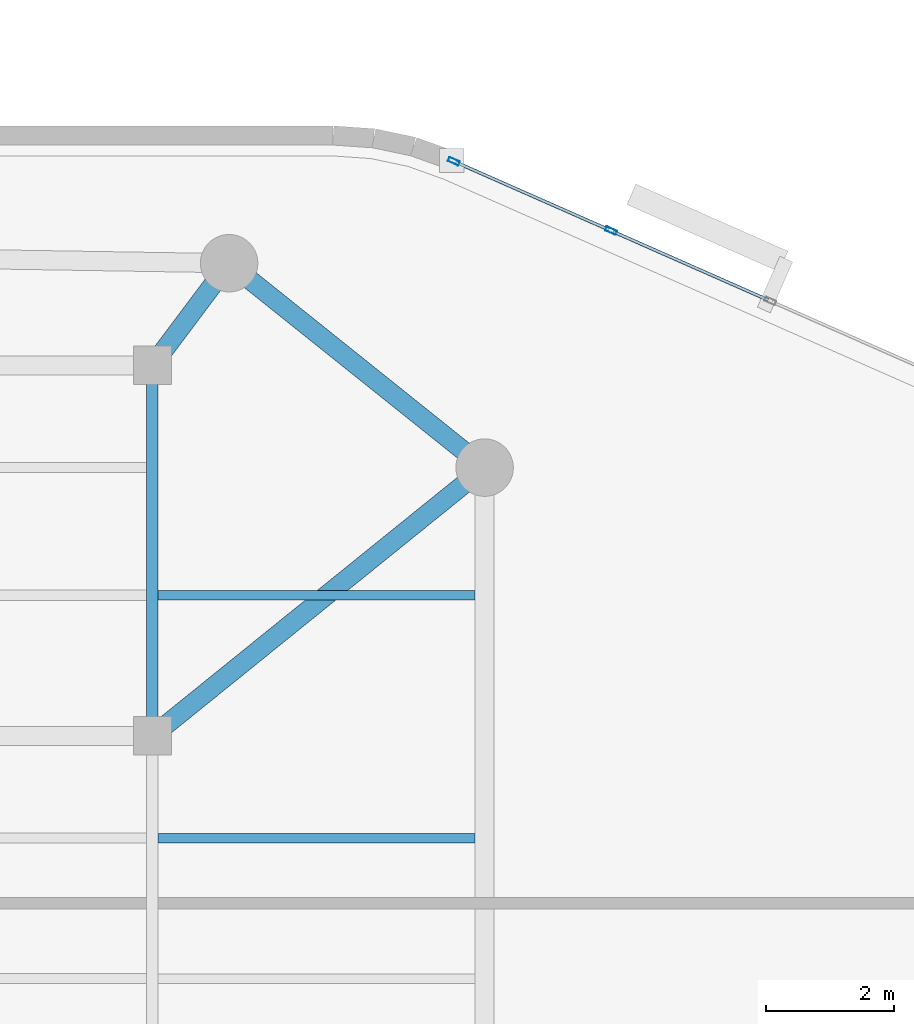
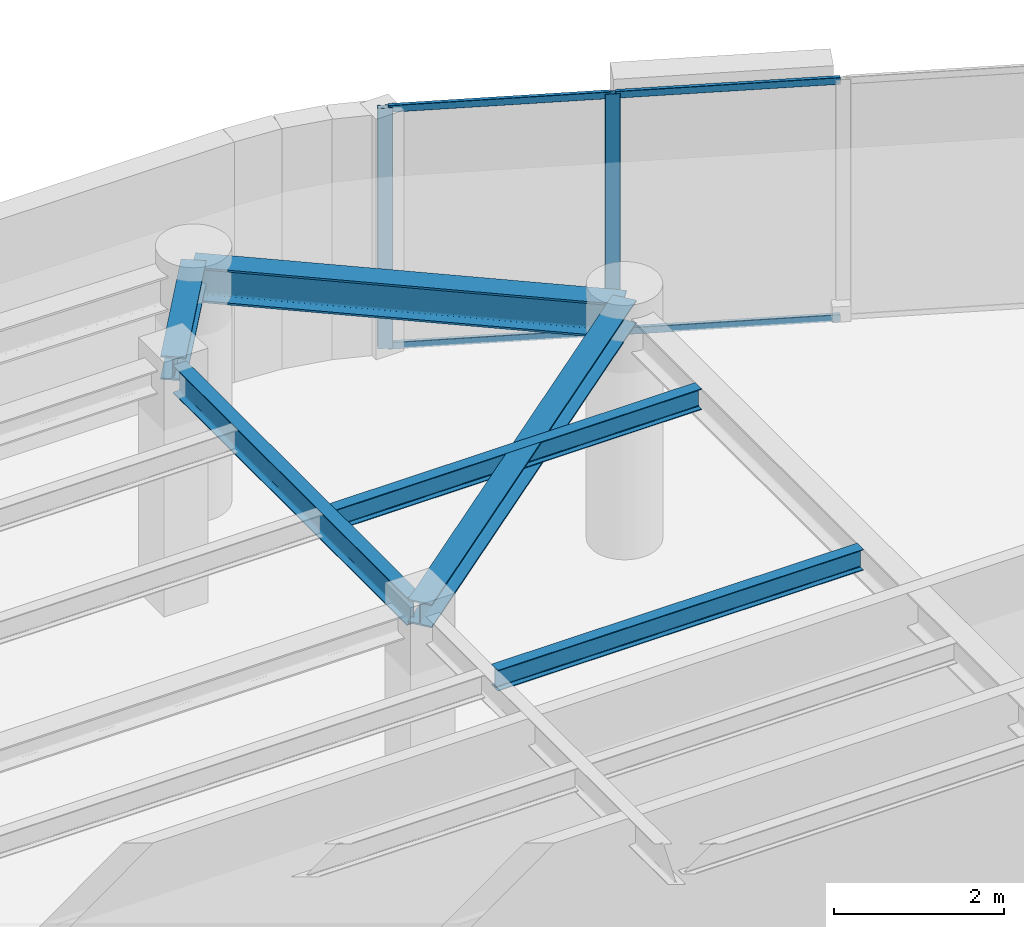
# One storey, part 5 of 12: 6 beams, 6 members, 1 element without a shape of its own.
"""IFC4 building model written with IfcOpenShell, lengths in metres."""

import ifcopenshell
import ifcopenshell.guid

model = None  # the IFC model being written
_history = None  # IfcOwnerHistory: only IFC2X3 demands one
_inside = {}  # id of a spatial element -> (the spatial element, [elements in it])
_under = {}  # id of a project, library or spatial element -> (it, [spatial elements below it])
_declared = {}  # id of a project -> (the project, [libraries it declares])
_typed = {}  # id of a type object -> (the type object, [elements of that type])
_made_of = {}  # id of a material, layer set ... -> (it, [elements and type objects made of it])


def new_model(schema):
    """Start an empty IFC model of exactly this schema.

    Asked for "IFC4X3", IfcOpenShell would pick the latest addendum, in which some entities
    have other attributes; the version numbers below select the first issue.
    IFC2X3 requires an IfcOwnerHistory on every rooted entity: one is made here for all.
    """
    global model, _history
    if schema == "IFC4X3":
        model = ifcopenshell.file(schema_version=(4, 3, 0, 0))
    else:
        model = ifcopenshell.file(schema=schema)
    _inside.clear()
    _under.clear()
    _declared.clear()
    _typed.clear()
    _made_of.clear()
    _history = None
    if model.schema == "IFC2X3":
        org = make("IfcOrganization", Name="unknown")
        user = make(
            "IfcPersonAndOrganization",
            ThePerson=make("IfcPerson", FamilyName="unknown"),
            TheOrganization=org,
        )
        app = make(
            "IfcApplication",
            ApplicationDeveloper=org,
            Version="unknown",
            ApplicationFullName="unknown",
            ApplicationIdentifier="unknown",
        )
        _history = make(
            "IfcOwnerHistory",
            OwningUser=user,
            OwningApplication=app,
            ChangeAction="ADDED",
            CreationDate=0,
        )
    return model


def make(cls, **values):
    """One entity of the class cls with the attributes given. An attribute that is None is left unset."""
    return model.create_entity(
        cls, **{name: value for name, value in values.items() if value is not None}
    )


def rooted(cls, **values):
    """An entity with a GlobalId (a new one), such as an element, a storey or a relation."""
    return make(cls, GlobalId=ifcopenshell.guid.new(), OwnerHistory=_history, **values)


def si_unit(unit_type, name, prefix=None):
    """IfcSIUnit, for example si_unit("LENGTHUNIT", "METRE", prefix="MILLI")."""
    return make("IfcSIUnit", UnitType=unit_type, Prefix=prefix, Name=name)


def assignment(units):
    """IfcUnitAssignment: the units of a project."""
    return None if units is None else make("IfcUnitAssignment", Units=units)


def point(xyz):
    """IfcCartesianPoint."""
    return None if xyz is None else make("IfcCartesianPoint", Coordinates=xyz)


def direction(xyz):
    """IfcDirection."""
    return None if xyz is None else make("IfcDirection", DirectionRatios=xyz)


def frame(location, z_axis=None, x_axis=None):
    """IfcAxis2Placement3D, a coordinate frame: its origin and axes. An axis left out is left unset."""
    return make(
        "IfcAxis2Placement3D",
        Location=point(location),
        Axis=direction(z_axis),
        RefDirection=direction(x_axis),
    )


def frame_2d(location, x_axis=None):
    """IfcAxis2Placement2D, a coordinate frame in the plane: its origin and x axis."""
    return make(
        "IfcAxis2Placement2D", Location=point(location), RefDirection=direction(x_axis)
    )


def origin():
    """The frame at (0, 0, 0) with its axes left unset."""
    return frame((0.0, 0.0, 0.0))


def origin_2d():
    """The frame at (0, 0) in the plane with its x axis left unset."""
    return frame_2d((0.0, 0.0))


def place(relative_to, where):
    """IfcLocalPlacement: puts the frame where relative to a parent placement (None: the world)."""
    return make(
        "IfcLocalPlacement", PlacementRelTo=relative_to, RelativePlacement=where
    )


def context(
    kind, dimensions, precision=None, world=None, true_north=None, identifier=None
):
    """IfcGeometricRepresentationContext, for example the 3D "Model" context."""
    return make(
        "IfcGeometricRepresentationContext",
        ContextIdentifier=identifier,
        ContextType=kind,
        CoordinateSpaceDimension=dimensions,
        Precision=precision,
        WorldCoordinateSystem=world,
        TrueNorth=true_north,
    )


def subcontext(parent, identifier, kind, view, scale=None):
    """IfcGeometricRepresentationSubContext, for example "Body" below "Model"."""
    return make(
        "IfcGeometricRepresentationSubContext",
        ContextIdentifier=identifier,
        ContextType=kind,
        ParentContext=parent,
        TargetScale=scale,
        TargetView=view,
    )


def project(units=None, contexts=None):
    """IfcProject with its units and contexts."""
    return rooted(
        "IfcProject",
        Name="project",
        RepresentationContexts=contexts,
        UnitsInContext=assignment(units),
    )


def spatial(cls, under=None, at=None, **own):
    """A site, building, storey or space (cls), placed at a placement, below another one or the project."""
    s = rooted(cls, ObjectPlacement=at, **own)
    if under is not None:
        _under.setdefault(under.id(), (under, []))[1].append(s)
    return s


def profile(cls, at=None, kind="AREA", **sizes):
    """A parametric profile (cls). Its sizes go by their IFC names, for example OverallWidth=200.0."""
    return make(cls, ProfileType=kind, Position=at, **sizes)


def hollow_rectangle(**sizes):
    """IfcRectangleHollowProfileDef."""
    return profile("IfcRectangleHollowProfileDef", **sizes)


def i_section(**sizes):
    """IfcIShapeProfileDef."""
    return profile("IfcIShapeProfileDef", **sizes)


def extrude(swept, where, along, depth):
    """IfcExtrudedAreaSolid: the profile swept, set in the frame where, extruded along a direction by depth."""
    return make(
        "IfcExtrudedAreaSolid",
        SweptArea=swept,
        Position=where,
        ExtrudedDirection=direction(along),
        Depth=depth,
    )


def shape(context_of_items, identifier, shape_type, items):
    """IfcShapeRepresentation: the items that make up one representation, for example the "Body"."""
    return make(
        "IfcShapeRepresentation",
        ContextOfItems=context_of_items,
        RepresentationIdentifier=identifier,
        RepresentationType=shape_type,
        Items=items,
    )


def material(Name=None, Category=None):
    """IfcMaterial."""
    return make("IfcMaterial", Name=Name, Category=Category)


def layer(
    of_material, thickness, ventilated=None, Name=None, Category=None, Priority=None
):
    """IfcMaterialLayer: one layer of a wall or slab, of a material (None: an air gap)."""
    return make(
        "IfcMaterialLayer",
        Material=of_material,
        LayerThickness=thickness,
        IsVentilated=ventilated,
        Name=Name,
        Category=Category,
        Priority=Priority,
    )


def layer_set(layers, Name=None):
    """IfcMaterialLayerSet."""
    return make("IfcMaterialLayerSet", MaterialLayers=layers, LayerSetName=Name)


def material_profile(
    of_material, cross_section, Name=None, Category=None, Priority=None
):
    """IfcMaterialProfile: a cross section and its material."""
    return make(
        "IfcMaterialProfile",
        Name=Name,
        Material=of_material,
        Profile=cross_section,
        Priority=Priority,
        Category=Category,
    )


def profile_set(profiles, Name=None, composite=None):
    """IfcMaterialProfileSet."""
    return make(
        "IfcMaterialProfileSet",
        Name=Name,
        MaterialProfiles=profiles,
        CompositeProfile=composite,
    )


def made_of(thing, what):
    """Note that an element or type object is made of a material, layer set ...; save() writes the relation."""
    if what is not None:
        _made_of.setdefault(what.id(), (what, []))[1].append(thing)
    return thing


def type_object(cls, material=None, **own):
    """A type object (cls), such as IfcWallType, which elements share."""
    return made_of(rooted(cls, **own), material)


def element(
    cls,
    number,
    at=None,
    inside=None,
    cuts=None,
    type_object=None,
    material=None,
    context=None,
    identifier="Body",
    shape_type=None,
    held_by="IfcProductDefinitionShape",
    body=None,
    shapes=None,
    **own,
):
    """One element of the class cls, such as IfcWall. Its Tag is "e" and its number.

    at: its placement. inside: the storey or other place that contains it. cuts: it is an
    opening in that element (IfcRelVoidsElement). A single representation is given by context,
    identifier, shape_type and body (its items); several are given by shapes. held_by: the class
    of the entity that holds the representations. save() writes the other relations.
    """
    e = rooted(cls, Tag="e%d" % number, ObjectPlacement=at, **own)
    if body is not None:
        shapes = [shape(context, identifier, shape_type, body)]
    if shapes is not None:
        e.Representation = make(held_by, Representations=shapes)
    if inside is not None:
        _inside.setdefault(inside.id(), (inside, []))[1].append(e)
    if cuts is not None:
        rooted(
            "IfcRelVoidsElement", RelatingBuildingElement=cuts, RelatedOpeningElement=e
        )
    if type_object is not None:
        _typed.setdefault(type_object.id(), (type_object, []))[1].append(e)
    return made_of(e, material)


def aggregate(whole, parts):
    """IfcRelAggregates: a whole, such as a stair, and the parts it consists of."""
    return rooted("IfcRelAggregates", RelatingObject=whole, RelatedObjects=parts)


def save(model, path):
    """Write the relations noted so far, then the file.

    IfcRelAggregates (storeys below a building ...), IfcRelContainedInSpatialStructure (elements
    in a storey), IfcRelDefinesByType, IfcRelAssociatesMaterial and IfcRelDeclares: one each for
    every whole, place, type object, material and project.
    """
    for whole, parts in _under.values():
        aggregate(whole, parts)
    for where, things in _inside.values():
        rooted(
            "IfcRelContainedInSpatialStructure",
            RelatedElements=things,
            RelatingStructure=where,
        )
    for kind, things in _typed.values():
        rooted("IfcRelDefinesByType", RelatedObjects=things, RelatingType=kind)
    for what, things in _made_of.values():
        rooted("IfcRelAssociatesMaterial", RelatedObjects=things, RelatingMaterial=what)
    for by, libraries in _declared.values():
        rooted("IfcRelDeclares", RelatingContext=by, RelatedDefinitions=libraries)
    model.write(path)


model = new_model("IFC4")

# Units and contexts
model_context = context("Model", 3, precision=1e-05, world=origin(), true_north=direction((0.0, 1.0)))
body_context = subcontext(model_context, "Body", "Model", "MODEL_VIEW")
ifc_project = project(units=[si_unit("LENGTHUNIT", "METRE"), si_unit("AREAUNIT", "SQUARE_METRE"), si_unit("VOLUMEUNIT", "CUBIC_METRE"), si_unit("PLANEANGLEUNIT", "RADIAN"), si_unit("MASSUNIT", "GRAM", prefix="KILO")], contexts=[model_context])

# Site, building, storey
site_placement = place(None, origin())
site = spatial("IfcSite", under=ifc_project, at=site_placement, CompositionType="ELEMENT")
building_placement = place(site_placement, origin())
building = spatial("IfcBuilding", under=site, at=building_placement, Name="An Khanh Terracotta Commons", CompositionType="ELEMENT")
storey_placement = place(building_placement, frame((0.0, 0.0, 269.75)))
storey = spatial("IfcBuildingStorey", under=building, at=storey_placement, Name="L70", CompositionType="ELEMENT", Elevation=269.75)

# Beams
ifc_material_1 = material(Name="Steel S355J2", Category="steel")
ifc_material_profile_1 = material_profile(ifc_material_1, i_section(OverallWidth=0.300048828125, OverallDepth=0.340087890625, WebThickness=0.011962890625, FlangeThickness=0.021484375, FilletRadius=0.027099609375, at=origin_2d()), Name="HEB340")
ifc_profile_set_1 = profile_set([ifc_material_profile_1], Name="Steel S355J2")
beam_type_1 = type_object("IfcBeamType", Name="BM-HEB340", PredefinedType="BEAM", material=ifc_profile_set_1)
beam_1_placement = place(storey_placement, frame((63.39990234375, 32.0, 3.280029296875), z_axis=(-0.777941866883, -0.628336256913, 0.0), x_axis=(0.628336256913, -0.777941866883, 0.0)))
element("IfcBeam", 1, at=beam_1_placement, inside=storey, type_object=beam_type_1, Name="L70 Mega-Column Tie Girder 4", PredefinedType="BEAM", context=body_context, shape_type="SweptSolid", body=[
    extrude(i_section(OverallWidth=0.300048828125, OverallDepth=0.340087890625, WebThickness=0.011962890625, FlangeThickness=0.021484375, FilletRadius=0.027099609375, at=origin_2d()), origin(), (0.0, 0.0, 1.0), 6.684326171875),
])
beam_2_placement = place(storey_placement, frame((59.39990234375, 35.199951171875, 3.280029296875), z_axis=(-0.600019532502, -0.799985350251, 0.0), x_axis=(0.799985350251, -0.600019532502, 0.0)))
element("IfcBeam", 2, at=beam_2_placement, inside=storey, type_object=beam_type_1, Name="L70 Mega-Column Tie Girder 5", PredefinedType="BEAM", context=body_context, shape_type="SweptSolid", body=[
    extrude(i_section(OverallWidth=0.300048828125, OverallDepth=0.340087890625, WebThickness=0.011962890625, FlangeThickness=0.021484375, FilletRadius=0.027099609375, at=origin_2d()), origin(), (0.0, 0.0, 1.0), 1.999755859375),
])
ifc_material_profile_2 = material_profile(ifc_material_1, i_section(OverallWidth=0.300048828125, OverallDepth=0.5, WebThickness=0.014404296875, FlangeThickness=0.028076171875, FilletRadius=0.027099609375, at=origin_2d()), Name="HEB500")
ifc_profile_set_2 = profile_set([ifc_material_profile_2], Name="Steel S355J2")
beam_type_2 = type_object("IfcBeamType", Name="BM-HEB500", PredefinedType="BEAM", material=ifc_profile_set_2)
beam_3_placement = place(storey_placement, frame((63.39990234375, 32.0, 3.199951171875), z_axis=(-0.780873459249, 0.624689235253, 0.0), x_axis=(-0.624689235253, -0.780873459249, 0.0)))
element("IfcBeam", 3, at=beam_3_placement, inside=storey, type_object=beam_type_2, Name="L70 Perimeter Ring Spandrel 4", PredefinedType="BEAM", context=body_context, shape_type="SweptSolid", body=[
    extrude(i_section(OverallWidth=0.300048828125, OverallDepth=0.5, WebThickness=0.014404296875, FlangeThickness=0.028076171875, FilletRadius=0.027099609375, at=origin_2d()), origin(), (0.0, 0.0, 1.0), 5.12255859375),
])
ifc_material_profile_3 = material_profile(ifc_material_1, i_section(OverallWidth=0.14990234375, OverallDepth=0.300048828125, WebThickness=0.007080078125, FlangeThickness=0.0107421875, FilletRadius=0.014892578125, at=origin_2d()), Name="IPE300")
ifc_profile_set_3 = profile_set([ifc_material_profile_3], Name="Steel S355J2")
beam_type_3 = type_object("IfcBeamType", Name="BM-IPE300", PredefinedType="JOIST", material=ifc_profile_set_3)
for number, where, z_axis, x_axis, name in (
    (4, (58.2900390625, 26.199951171875, 3.300048828125), (1.0, 0.0, 0.0), (0.0, 1.0, 0.0), "L70 Riverfront Composite Joist 5"),
    (5, (58.2900390625, 30.0, 3.300048828125), (1.0, 0.0, 0.0), (0.0, 1.0, 0.0), "L70 Riverfront Composite Joist 6"),
):
    element("IfcBeam", number, at=place(storey_placement, frame(where, z_axis=z_axis, x_axis=x_axis)), inside=storey, type_object=beam_type_3, Name=name, PredefinedType="JOIST", context=body_context, shape_type="SweptSolid", body=[
        extrude(i_section(OverallWidth=0.14990234375, OverallDepth=0.300048828125, WebThickness=0.007080078125, FlangeThickness=0.0107421875, FilletRadius=0.014892578125, at=origin_2d()), origin(), (0.0, 0.0, 1.0), 4.9599609375),
    ])
ifc_material_profile_4 = material_profile(ifc_material_1, i_section(OverallWidth=0.179931640625, OverallDepth=0.39990234375, WebThickness=0.008544921875, FlangeThickness=0.013427734375, FilletRadius=0.02099609375, at=origin_2d()), Name="IPE400")
ifc_profile_set_4 = profile_set([ifc_material_profile_4], Name="Steel S355J2")
beam_type_4 = type_object("IfcBeamType", Name="BM-IPE400", PredefinedType="JOIST", material=ifc_profile_set_4)
beam_4_placement = place(storey_placement, frame((58.199951171875, 27.949951171875, 3.25), z_axis=(0.0, 1.0, 0.0), x_axis=(-1.0, 0.0, 0.0)))
element("IfcBeam", 6, at=beam_4_placement, inside=storey, type_object=beam_type_4, Name="L70 East Spine Girder 3", PredefinedType="JOIST", context=body_context, shape_type="SweptSolid", body=[
    extrude(i_section(OverallWidth=0.179931640625, OverallDepth=0.39990234375, WebThickness=0.008544921875, FlangeThickness=0.013427734375, FilletRadius=0.02099609375, at=origin_2d()), origin(), (0.0, 0.0, 1.0), 5.5),
])

# Curtain wall, members
ifc_material_2 = material(Name="Anodised Aluminium 6063-T6", Category="aluminium")
ifc_layer = layer(ifc_material_2, 0.2099609375, Name="Anodised Aluminium 6063-T6")
ifc_layer_set = layer_set([ifc_layer], Name="Anodised Aluminium 6063-T6")
curtain_wall_type = type_object("IfcCurtainWallType", Name="CW-SYS-03", PredefinedType="USERDEFINED", material=ifc_layer_set)
curtain_wall_placement = place(storey_placement, origin())
curtain_wall = element("IfcCurtainWall", 7, at=curtain_wall_placement, inside=storey, type_object=curtain_wall_type, Name="L70 CW-03 Unitised Curtain Wall CW-L70-16", ObjectType="UNITISED CURTAIN WALL", PredefinedType="USERDEFINED")
ifc_material_profile_5 = material_profile(ifc_material_2, hollow_rectangle(XDim=0.070068359375, YDim=0.179931640625, WallThickness=0.00390625, InnerFilletRadius=0.00390625, OuterFilletRadius=0.008056640625, at=origin_2d()), Name="RHS180x70x4")
ifc_profile_set_5 = profile_set([ifc_material_profile_5], Name="Anodised Aluminium 6063-T6")
member_type_1 = type_object("IfcMemberType", Name="CWM-RHS180x70x4", PredefinedType="MULLION", material=ifc_profile_set_5)
member_1_placement = place(storey_placement, frame((65.37939453125, 35.709228515625, 0.0), z_axis=(0.0, 0.0, 1.0), x_axis=(-0.403676354285, -0.914901853201, 0.0)))
member_1 = element("IfcMember", 8, at=member_1_placement, type_object=member_type_1, Name="CW-03 mullion 4", PredefinedType="MULLION", context=body_context, shape_type="SweptSolid", body=[
    extrude(hollow_rectangle(XDim=0.070068359375, YDim=0.179931640625, WallThickness=0.00390625, InnerFilletRadius=0.00390625, OuterFilletRadius=0.008056640625, at=origin_2d()), origin(), (0.0, 0.0, 1.0), 3.449951171875),
])
member_2_placement = place(storey_placement, frame((62.9189453125, 36.794921875, 0.0), z_axis=(0.0, 0.0, 1.0), x_axis=(-0.403676354285, -0.914901853201, 0.0)))
member_2 = element("IfcMember", 9, at=member_2_placement, type_object=member_type_1, Name="CW-03 mullion 5", PredefinedType="MULLION", context=body_context, shape_type="SweptSolid", body=[
    extrude(hollow_rectangle(XDim=0.070068359375, YDim=0.179931640625, WallThickness=0.00390625, InnerFilletRadius=0.00390625, OuterFilletRadius=0.008056640625, at=origin_2d()), origin(), (0.0, 0.0, 1.0), 3.449951171875),
])
ifc_material_profile_6 = material_profile(ifc_material_2, hollow_rectangle(XDim=0.050048828125, YDim=0.10009765625, WallThickness=0.003173828125, InnerFilletRadius=0.003173828125, OuterFilletRadius=0.00634765625, at=origin_2d()), Name="RHS100x50x3.2")
ifc_profile_set_6 = profile_set([ifc_material_profile_6], Name="Anodised Aluminium 6063-T6")
member_type_2 = type_object("IfcMemberType", Name="CWT-RHS100x50x3.2", PredefinedType="USERDEFINED", material=ifc_profile_set_6)
member_3_placement = place(storey_placement, frame((67.840087890625, 34.62353515625, 0.02490234375), z_axis=(-0.914896820753, 0.403687759755, 0.0), x_axis=(-0.403687759755, -0.914896820753, 0.0)))
member_3 = element("IfcMember", 10, at=member_3_placement, type_object=member_type_2, Name="CW-03 transom 3.1", ObjectType="TRANSOM", PredefinedType="USERDEFINED", context=body_context, shape_type="SweptSolid", body=[
    extrude(hollow_rectangle(XDim=0.050048828125, YDim=0.10009765625, WallThickness=0.003173828125, InnerFilletRadius=0.003173828125, OuterFilletRadius=0.00634765625, at=origin_2d()), origin(), (0.0, 0.0, 1.0), 2.654296875),
])
member_4_placement = place(storey_placement, frame((67.840087890625, 34.62353515625, 3.425048828125), z_axis=(-0.914896820753, 0.403687759755, 0.0), x_axis=(-0.403687759755, -0.914896820753, 0.0)))
member_4 = element("IfcMember", 11, at=member_4_placement, type_object=member_type_2, Name="CW-03 transom 3.2", ObjectType="TRANSOM", PredefinedType="USERDEFINED", context=body_context, shape_type="SweptSolid", body=[
    extrude(hollow_rectangle(XDim=0.050048828125, YDim=0.10009765625, WallThickness=0.003173828125, InnerFilletRadius=0.003173828125, OuterFilletRadius=0.00634765625, at=origin_2d()), origin(), (0.0, 0.0, 1.0), 2.654296875),
])
member_5_placement = place(storey_placement, frame((65.347412109375, 35.723388671875, 0.02490234375), z_axis=(-0.914903627858, 0.403672332137, 0.0), x_axis=(-0.403672332137, -0.914903627858, 0.0)))
member_5 = element("IfcMember", 12, at=member_5_placement, type_object=member_type_2, Name="CW-03 transom 4.1", ObjectType="TRANSOM", PredefinedType="USERDEFINED", context=body_context, shape_type="SweptSolid", body=[
    extrude(hollow_rectangle(XDim=0.050048828125, YDim=0.10009765625, WallThickness=0.003173828125, InnerFilletRadius=0.003173828125, OuterFilletRadius=0.00634765625, at=origin_2d()), origin(), (0.0, 0.0, 1.0), 2.619384765625),
])
member_6_placement = place(storey_placement, frame((65.347412109375, 35.723388671875, 3.425048828125), z_axis=(-0.914903627858, 0.403672332137, 0.0), x_axis=(-0.403672332137, -0.914903627858, 0.0)))
member_6 = element("IfcMember", 13, at=member_6_placement, type_object=member_type_2, Name="CW-03 transom 4.2", ObjectType="TRANSOM", PredefinedType="USERDEFINED", context=body_context, shape_type="SweptSolid", body=[
    extrude(hollow_rectangle(XDim=0.050048828125, YDim=0.10009765625, WallThickness=0.003173828125, InnerFilletRadius=0.003173828125, OuterFilletRadius=0.00634765625, at=origin_2d()), origin(), (0.0, 0.0, 1.0), 2.619384765625),
])
aggregate(curtain_wall, [member_1, member_2, member_3, member_4, member_5, member_6])

save(model, "model.ifc")
